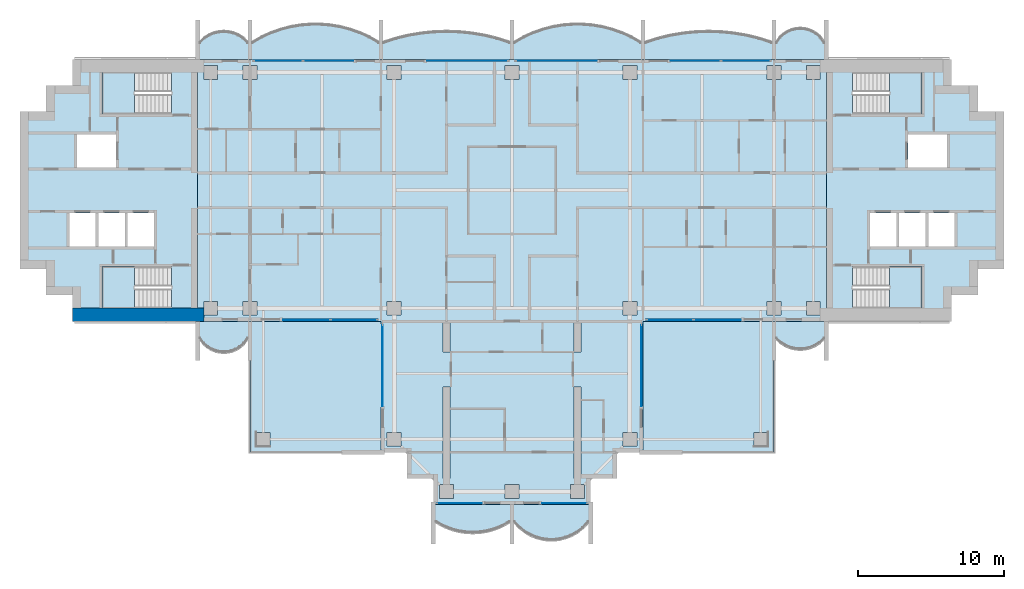
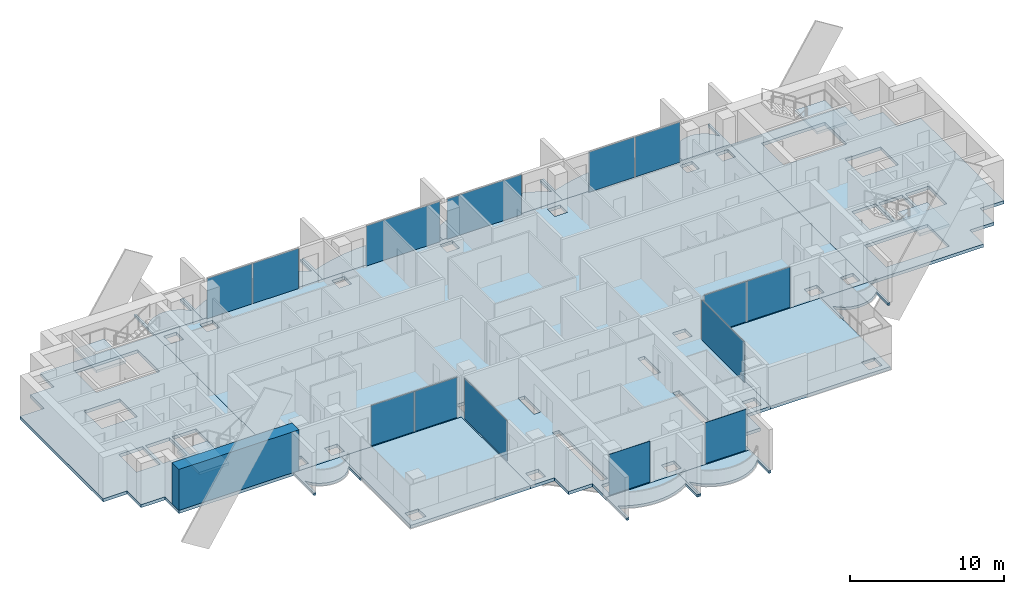
# One storey, part 7 of 17: 19 slabs, 14 plates, 1 wall, 14 elements without a shape of their own.
"""IFC4 building model written with IfcOpenShell, lengths in metres."""

from ifc_helpers import new_model, si_unit, direction, frame, frame_2d, origin, origin_2d, place, context, subcontext, project, spatial, polyline, rectangle, outline, extrude, material, layer, layer_set, type_object, element, aggregate, save


model = new_model("IFC4")

# Units and contexts
model_context = context("Model", 3, precision=1e-05, world=origin(), true_north=direction((0.0, 1.0)))
body_context = subcontext(model_context, "Body", "Model", "MODEL_VIEW")
ifc_project = project(units=[si_unit("LENGTHUNIT", "METRE"), si_unit("AREAUNIT", "SQUARE_METRE"), si_unit("VOLUMEUNIT", "CUBIC_METRE"), si_unit("PLANEANGLEUNIT", "RADIAN"), si_unit("MASSUNIT", "GRAM", prefix="KILO")], contexts=[model_context])

# Site, building, storey
site_placement = place(None, origin())
site = spatial("IfcSite", under=ifc_project, at=site_placement, CompositionType="ELEMENT")
building_placement = place(site_placement, origin())
building = spatial("IfcBuilding", under=site, at=building_placement, Name="Perihelion Cross Residences", CompositionType="ELEMENT")
storey_placement = place(building_placement, frame((0.0, 0.0, 198.10009765625)))
storey = spatial("IfcBuildingStorey", under=building, at=storey_placement, Name="L49", CompositionType="ELEMENT", Elevation=198.10009765625)

# Slabs
ifc_material_1 = material(Name="Concrete C40/50", Category="concrete")
ifc_layer_1 = layer(ifc_material_1, 0.199951171875)
ifc_layer_set_1 = layer_set([ifc_layer_1], Name="Balcony slab 200")
slab_type_1 = type_object("IfcSlabType", Name="Balcony slab 200", PredefinedType="FLOOR", material=ifc_layer_set_1)
slab_1_placement = place(storey_placement, frame((0.0, 0.0, -0.2001953125)))
element("IfcSlab", 1, at=slab_1_placement, inside=storey, type_object=slab_type_1, Name="Slab BK1 L49 east side north bay 1 balcony", PredefinedType="FLOOR", context=body_context, shape_type="SweptSolid", body=[
    extrude(outline(polyline([(21.60009765625, 9.0), (18.0, 9.0), (18.0, 11.699951171875), (18.14990234375, 11.699951171875), (18.14990234375, 10.199951171875), (18.425048828125, 10.568603515625), (18.699951171875, 10.806396484375), (18.97509765625, 10.96875), (19.25, 11.07568359375), (19.52490234375, 11.136962890625), (19.800048828125, 11.156982421875), (20.074951171875, 11.136962890625), (20.35009765625, 11.07568359375), (20.625, 10.96875), (20.89990234375, 10.806396484375), (21.175048828125, 10.568603515625), (21.449951171875, 10.199951171875), (21.449951171875, 11.699951171875), (21.60009765625, 11.699951171875), (21.60009765625, 9.0)])), origin(), (0.0, 0.0, 1.0), 0.2001953125),
])
slab_2_placement = place(storey_placement, frame((0.0, 0.0, -0.2001953125)))
element("IfcSlab", 2, at=slab_2_placement, inside=storey, type_object=slab_type_1, Name="Slab BK1 L49 east side north bay 2 balcony", PredefinedType="FLOOR", context=body_context, shape_type="SweptSolid", body=[
    extrude(outline(polyline([(18.0, 9.0), (9.0, 9.0), (9.0, 11.699951171875), (9.14990234375, 11.699951171875), (9.14990234375, 10.199951171875), (10.02001953125, 10.47509765625), (10.889892578125, 10.68505859375), (11.760009765625, 10.8330078125), (12.6298828125, 10.9208984375), (13.5, 10.949951171875), (14.3701171875, 10.9208984375), (15.239990234375, 10.8330078125), (16.110107421875, 10.68505859375), (16.97998046875, 10.47509765625), (17.85009765625, 10.199951171875), (17.85009765625, 11.699951171875), (18.0, 11.699951171875), (18.0, 9.0)])), origin(), (0.0, 0.0, 1.0), 0.2001953125),
])
slab_3_placement = place(storey_placement, frame((0.0, 0.0, -0.2001953125)))
element("IfcSlab", 3, at=slab_3_placement, inside=storey, type_object=slab_type_1, Name="Slab BK1 L49 north side east bay 1 balcony", PredefinedType="FLOOR", context=body_context, shape_type="SweptSolid", body=[
    extrude(outline(polyline([(9.0, 9.0), (0.0, 9.0), (0.0, 11.699951171875), (0.14990234375, 11.699951171875), (0.14990234375, 10.199951171875), (0.8193359375, 10.57666015625), (1.488525390625, 10.87646484375), (2.15771484375, 11.108154296875), (2.826904296875, 11.27734375), (3.49609375, 11.38818359375), (4.165283203125, 11.443115234375), (4.834716796875, 11.443115234375), (5.50390625, 11.38818359375), (6.173095703125, 11.27734375), (6.84228515625, 11.108154296875), (7.511474609375, 10.87646484375), (8.1806640625, 10.57666015625), (8.85009765625, 10.199951171875), (8.85009765625, 11.699951171875), (9.0, 11.699951171875), (9.0, 9.0)])), origin(), (0.0, 0.0, 1.0), 0.2001953125),
])
slab_4_placement = place(storey_placement, frame((0.0, 0.0, -0.2001953125)))
element("IfcSlab", 4, at=slab_4_placement, inside=storey, type_object=slab_type_1, Name="Slab BK1 L49 north side east bay 2 balcony", PredefinedType="FLOOR", context=body_context, shape_type="SweptSolid", body=[
    extrude(outline(polyline([(0.0, 9.0), (-9.0, 9.0), (-9.0, 11.699951171875), (-8.85009765625, 11.699951171875), (-8.85009765625, 10.199951171875), (-7.97998046875, 10.47509765625), (-7.110107421875, 10.68505859375), (-6.239990234375, 10.8330078125), (-5.3701171875, 10.9208984375), (-4.5, 10.949951171875), (-3.6298828125, 10.9208984375), (-2.760009765625, 10.8330078125), (-1.889892578125, 10.68505859375), (-1.02001953125, 10.47509765625), (-0.14990234375, 10.199951171875), (-0.14990234375, 11.699951171875), (0.0, 11.699951171875), (0.0, 9.0)])), origin(), (0.0, 0.0, 1.0), 0.2001953125),
])
slab_5_placement = place(storey_placement, frame((0.0, 0.0, -0.2001953125)))
element("IfcSlab", 5, at=slab_5_placement, inside=storey, type_object=slab_type_1, Name="Slab BK1 L49 west side north bay 1 balcony", PredefinedType="FLOOR", context=body_context, shape_type="SweptSolid", body=[
    extrude(outline(polyline([(-9.0, 9.0), (-18.0, 9.0), (-18.0, 11.699951171875), (-17.85009765625, 11.699951171875), (-17.85009765625, 10.199951171875), (-17.1806640625, 10.57666015625), (-16.511474609375, 10.87646484375), (-15.84228515625, 11.108154296875), (-15.173095703125, 11.27734375), (-14.50390625, 11.38818359375), (-13.834716796875, 11.443115234375), (-13.165283203125, 11.443115234375), (-12.49609375, 11.38818359375), (-11.826904296875, 11.27734375), (-11.15771484375, 11.108154296875), (-10.488525390625, 10.87646484375), (-9.8193359375, 10.57666015625), (-9.14990234375, 10.199951171875), (-9.14990234375, 11.699951171875), (-9.0, 11.699951171875), (-9.0, 9.0)])), origin(), (0.0, 0.0, 1.0), 0.2001953125),
])
slab_6_placement = place(storey_placement, frame((0.0, 0.0, -0.2001953125)))
element("IfcSlab", 6, at=slab_6_placement, inside=storey, type_object=slab_type_1, Name="Slab BK1 L49 west side north bay 2 balcony", PredefinedType="FLOOR", context=body_context, shape_type="SweptSolid", body=[
    extrude(outline(polyline([(-18.0, 9.0), (-21.60009765625, 9.0), (-21.60009765625, 11.699951171875), (-21.449951171875, 11.699951171875), (-21.449951171875, 10.199951171875), (-21.1201171875, 10.507568359375), (-20.7900390625, 10.71337890625), (-20.4599609375, 10.84814453125), (-20.1298828125, 10.925048828125), (-19.800048828125, 10.949951171875), (-19.469970703125, 10.925048828125), (-19.139892578125, 10.84814453125), (-18.81005859375, 10.71337890625), (-18.47998046875, 10.507568359375), (-18.14990234375, 10.199951171875), (-18.14990234375, 11.699951171875), (-18.0, 11.699951171875), (-18.0, 9.0)])), origin(), (0.0, 0.0, 1.0), 0.2001953125),
])
slab_7_placement = place(storey_placement, frame((0.0, 0.0, -0.2001953125)))
element("IfcSlab", 7, at=slab_7_placement, inside=storey, type_object=slab_type_1, Name="Slab BK1 L49 west side south bay 1 balcony", PredefinedType="FLOOR", context=body_context, shape_type="SweptSolid", body=[
    extrude(outline(polyline([(-21.60009765625, -9.0), (-18.0, -9.0), (-18.0, -11.699951171875), (-18.14990234375, -11.699951171875), (-18.14990234375, -10.199951171875), (-18.425048828125, -10.568603515625), (-18.699951171875, -10.806396484375), (-18.97509765625, -10.96875), (-19.25, -11.07568359375), (-19.52490234375, -11.136962890625), (-19.800048828125, -11.156982421875), (-20.074951171875, -11.136962890625), (-20.35009765625, -11.07568359375), (-20.625, -10.96875), (-20.89990234375, -10.806396484375), (-21.175048828125, -10.568603515625), (-21.449951171875, -10.199951171875), (-21.449951171875, -11.699951171875), (-21.60009765625, -11.699951171875), (-21.60009765625, -9.0)])), origin(), (0.0, 0.0, 1.0), 0.2001953125),
])
slab_8_placement = place(storey_placement, frame((0.0, 0.0, -0.2001953125)))
element("IfcSlab", 8, at=slab_8_placement, inside=storey, type_object=slab_type_1, Name="Slab BK1 L49 south tip south bay 1 balcony", PredefinedType="FLOOR", context=body_context, shape_type="SweptSolid", body=[
    extrude(outline(polyline([(-5.39990234375, -21.60009765625), (0.0, -21.60009765625), (0.0, -24.300048828125), (-0.14990234375, -24.300048828125), (-0.14990234375, -22.800048828125), (-0.659912109375, -23.085205078125), (-1.169921875, -23.294677734375), (-1.679931640625, -23.438232421875), (-2.18994140625, -23.522216796875), (-2.699951171875, -23.550048828125), (-3.2099609375, -23.522216796875), (-3.719970703125, -23.438232421875), (-4.22998046875, -23.294677734375), (-4.739990234375, -23.085205078125), (-5.25, -22.800048828125), (-5.25, -24.300048828125), (-5.39990234375, -24.300048828125), (-5.39990234375, -21.60009765625)])), origin(), (0.0, 0.0, 1.0), 0.2001953125),
])
slab_9_placement = place(storey_placement, frame((0.0, 0.0, -0.2001953125)))
element("IfcSlab", 9, at=slab_9_placement, inside=storey, type_object=slab_type_1, Name="Slab BK1 L49 south tip south bay 2 balcony", PredefinedType="FLOOR", context=body_context, shape_type="SweptSolid", body=[
    extrude(outline(polyline([(0.0, -21.60009765625), (5.39990234375, -21.60009765625), (5.39990234375, -24.300048828125), (5.25, -24.300048828125), (5.25, -22.800048828125), (4.857666015625, -23.22216796875), (4.46533203125, -23.524169921875), (4.072998046875, -23.7431640625), (3.6806640625, -23.897216796875), (3.28857421875, -23.995849609375), (2.896240234375, -24.0439453125), (2.50390625, -24.0439453125), (2.111572265625, -23.995849609375), (1.71923828125, -23.897216796875), (1.326904296875, -23.7431640625), (0.9345703125, -23.524169921875), (0.542236328125, -23.22216796875), (0.14990234375, -22.800048828125), (0.14990234375, -24.300048828125), (0.0, -24.300048828125), (0.0, -21.60009765625)])), origin(), (0.0, 0.0, 1.0), 0.2001953125),
])
slab_10_placement = place(storey_placement, frame((0.0, 0.0, -0.2001953125)))
element("IfcSlab", 10, at=slab_10_placement, inside=storey, type_object=slab_type_1, Name="Slab BK1 L49 east side south bay 2 balcony", PredefinedType="FLOOR", context=body_context, shape_type="SweptSolid", body=[
    extrude(outline(polyline([(18.0, -9.0), (21.60009765625, -9.0), (21.60009765625, -11.699951171875), (21.449951171875, -11.699951171875), (21.449951171875, -10.199951171875), (21.1201171875, -10.507568359375), (20.7900390625, -10.71337890625), (20.4599609375, -10.84814453125), (20.1298828125, -10.925048828125), (19.800048828125, -10.949951171875), (19.469970703125, -10.925048828125), (19.139892578125, -10.84814453125), (18.81005859375, -10.71337890625), (18.47998046875, -10.507568359375), (18.14990234375, -10.199951171875), (18.14990234375, -11.699951171875), (18.0, -11.699951171875), (18.0, -9.0)])), origin(), (0.0, 0.0, 1.0), 0.2001953125),
])

# Curtain wall, plates
ifc_material_2 = material(Name="Bronze anodised aluminium, tinted glazing", Category="aluminium")
curtain_wall_type = type_object("IfcCurtainWallType", Name="CW1", PredefinedType="NOTDEFINED", material=ifc_material_2)
curtain_wall_1_placement = place(storey_placement, origin())
curtain_wall_1 = element("IfcCurtainWall", 11, at=curtain_wall_1_placement, inside=storey, type_object=curtain_wall_type, Name="Curtain wall CW1 L49 east side north bay 2", PredefinedType="NOTDEFINED")
ifc_material_3 = material(Name="Tinted laminated glass", Category="glass")
ifc_layer_2 = layer(ifc_material_3, 0.028076171875)
ifc_layer_set_2 = layer_set([ifc_layer_2], Name="CW1 panel")
plate_type = type_object("IfcPlateType", Name="CW1 panel", PredefinedType="CURTAIN_PANEL", material=ifc_layer_set_2)
plate_1_placement = place(storey_placement, frame((16.06005859375, 8.89990234375, 0.0), z_axis=(0.0, 0.0, 1.0), x_axis=(-1.0, 0.0, 0.0)))
plate_1 = element("IfcPlate", 12, at=plate_1_placement, type_object=plate_type, Name="CW1 panel 1", PredefinedType="CURTAIN_PANEL", context=body_context, shape_type="SweptSolid", body=[
    extrude(rectangle(XDim=3.360107421875, YDim=0.028076171875, at=origin_2d()), origin(), (0.0, 0.0, 1.0), 3.18994140625),
])
plate_2_placement = place(storey_placement, frame((12.610107421875, 8.89990234375, 0.0), z_axis=(0.0, 0.0, 1.0), x_axis=(-1.0, 0.0, 0.0)))
plate_2 = element("IfcPlate", 13, at=plate_2_placement, type_object=plate_type, Name="CW1 panel 2", PredefinedType="CURTAIN_PANEL", context=body_context, shape_type="SweptSolid", body=[
    extrude(rectangle(XDim=3.419921875, YDim=0.028076171875, at=origin_2d()), origin(), (0.0, 0.0, 1.0), 3.18994140625),
])
aggregate(curtain_wall_1, [plate_1, plate_2])

# Curtain wall, plate
curtain_wall_2_placement = place(storey_placement, origin())
curtain_wall_2 = element("IfcCurtainWall", 14, at=curtain_wall_2_placement, inside=storey, type_object=curtain_wall_type, Name="Curtain wall CW1 L49 north side east bay 1", PredefinedType="NOTDEFINED")
plate_3_placement = place(storey_placement, frame((3.04248046875, 8.89990234375, 0.0), z_axis=(0.0, 0.0, 1.0), x_axis=(-1.0, 0.0, 0.0)))
plate_3 = element("IfcPlate", 15, at=plate_3_placement, type_object=plate_type, Name="CW1 panel 1", PredefinedType="CURTAIN_PANEL", context=body_context, shape_type="SweptSolid", body=[
    extrude(rectangle(XDim=5.56494140625, YDim=0.028076171875, at=origin_2d()), origin(), (0.0, 0.0, 1.0), 3.18994140625),
])
aggregate(curtain_wall_2, [plate_3])

curtain_wall_3_placement = place(storey_placement, origin())
curtain_wall_3 = element("IfcCurtainWall", 16, at=curtain_wall_3_placement, inside=storey, type_object=curtain_wall_type, Name="Curtain wall CW1 L49 north side east bay 2", PredefinedType="NOTDEFINED")
plate_4_placement = place(storey_placement, frame((-3.04248046875, 8.89990234375, 0.0), z_axis=(0.0, 0.0, 1.0), x_axis=(-1.0, 0.0, 0.0)))
plate_4 = element("IfcPlate", 17, at=plate_4_placement, type_object=plate_type, Name="CW1 panel 1", PredefinedType="CURTAIN_PANEL", context=body_context, shape_type="SweptSolid", body=[
    extrude(rectangle(XDim=5.56494140625, YDim=0.028076171875, at=origin_2d()), origin(), (0.0, 0.0, 1.0), 3.18994140625),
])
aggregate(curtain_wall_3, [plate_4])

# Curtain wall, plates
curtain_wall_4_placement = place(storey_placement, origin())
curtain_wall_4 = element("IfcCurtainWall", 18, at=curtain_wall_4_placement, inside=storey, type_object=curtain_wall_type, Name="Curtain wall CW1 L49 west side north bay 1", PredefinedType="NOTDEFINED")
plate_5_placement = place(storey_placement, frame((-12.610107421875, 8.89990234375, 0.0), z_axis=(0.0, 0.0, 1.0), x_axis=(-1.0, 0.0, 0.0)))
plate_5 = element("IfcPlate", 19, at=plate_5_placement, type_object=plate_type, Name="CW1 panel 1", PredefinedType="CURTAIN_PANEL", context=body_context, shape_type="SweptSolid", body=[
    extrude(rectangle(XDim=3.419921875, YDim=0.028076171875, at=origin_2d()), origin(), (0.0, 0.0, 1.0), 3.18994140625),
])
plate_6_placement = place(storey_placement, frame((-16.06005859375, 8.89990234375, 0.0), z_axis=(0.0, 0.0, 1.0), x_axis=(-1.0, 0.0, 0.0)))
plate_6 = element("IfcPlate", 20, at=plate_6_placement, type_object=plate_type, Name="CW1 panel 2", PredefinedType="CURTAIN_PANEL", context=body_context, shape_type="SweptSolid", body=[
    extrude(rectangle(XDim=3.360107421875, YDim=0.028076171875, at=origin_2d()), origin(), (0.0, 0.0, 1.0), 3.18994140625),
])
aggregate(curtain_wall_4, [plate_5, plate_6])

curtain_wall_5_placement = place(storey_placement, origin())
curtain_wall_5 = element("IfcCurtainWall", 21, at=curtain_wall_5_placement, inside=storey, type_object=curtain_wall_type, Name="Curtain wall CW1 L49 west side south bay 2", PredefinedType="NOTDEFINED")
plate_7_placement = place(storey_placement, frame((-14.108642578125, -8.89990234375, 0.0), z_axis=(0.0, 0.0, 1.0), x_axis=(1.0, 0.0, 0.0)))
plate_7 = element("IfcPlate", 22, at=plate_7_placement, type_object=plate_type, Name="CW1 panel 1", PredefinedType="CURTAIN_PANEL", context=body_context, shape_type="SweptSolid", body=[
    extrude(rectangle(XDim=3.232421875, YDim=0.028076171875, at=origin_2d()), origin(), (0.0, 0.0, 1.0), 3.18994140625),
])
plate_8_placement = place(storey_placement, frame((-10.84619140625, -8.89990234375, 0.0), z_axis=(0.0, 0.0, 1.0), x_axis=(1.0, 0.0, 0.0)))
plate_8 = element("IfcPlate", 23, at=plate_8_placement, type_object=plate_type, Name="CW1 panel 2", PredefinedType="CURTAIN_PANEL", context=body_context, shape_type="SweptSolid", body=[
    extrude(rectangle(XDim=3.172607421875, YDim=0.028076171875, at=origin_2d()), origin(), (0.0, 0.0, 1.0), 3.18994140625),
])
aggregate(curtain_wall_5, [plate_7, plate_8])

# Curtain wall, plate
curtain_wall_6_placement = place(storey_placement, origin())
curtain_wall_6 = element("IfcCurtainWall", 24, at=curtain_wall_6_placement, inside=storey, type_object=curtain_wall_type, Name="Curtain wall CW1 L49 south side west bay 1", PredefinedType="NOTDEFINED")
plate_9_placement = place(storey_placement, frame((-8.89990234375, -12.04248046875, 0.0), z_axis=(0.0, 0.0, 1.0), x_axis=(0.0, -1.0, 0.0)))
plate_9 = element("IfcPlate", 25, at=plate_9_placement, type_object=plate_type, Name="CW1 panel 1", PredefinedType="CURTAIN_PANEL", context=body_context, shape_type="SweptSolid", body=[
    extrude(rectangle(XDim=5.56494140625, YDim=0.028076171875, at=origin_2d()), origin(), (0.0, 0.0, 1.0), 3.18994140625),
])
aggregate(curtain_wall_6, [plate_9])

curtain_wall_7_placement = place(storey_placement, origin())
curtain_wall_7 = element("IfcCurtainWall", 26, at=curtain_wall_7_placement, inside=storey, type_object=curtain_wall_type, Name="Curtain wall CW1 L49 south tip south bay 1", PredefinedType="NOTDEFINED")
plate_10_placement = place(storey_placement, frame((-3.607421875, -21.5, 0.0), z_axis=(0.0, 0.0, 1.0), x_axis=(1.0, 0.0, 0.0)))
plate_10 = element("IfcPlate", 27, at=plate_10_placement, type_object=plate_type, Name="CW1 panel 1", PredefinedType="CURTAIN_PANEL", context=body_context, shape_type="SweptSolid", body=[
    extrude(rectangle(XDim=3.06494140625, YDim=0.028076171875, at=origin_2d()), origin(), (0.0, 0.0, 1.0), 3.25),
])
aggregate(curtain_wall_7, [plate_10])

curtain_wall_8_placement = place(storey_placement, origin())
curtain_wall_8 = element("IfcCurtainWall", 28, at=curtain_wall_8_placement, inside=storey, type_object=curtain_wall_type, Name="Curtain wall CW1 L49 south tip south bay 2", PredefinedType="NOTDEFINED")
plate_11_placement = place(storey_placement, frame((3.607421875, -21.5, 0.0), z_axis=(0.0, 0.0, 1.0), x_axis=(1.0, 0.0, 0.0)))
plate_11 = element("IfcPlate", 29, at=plate_11_placement, type_object=plate_type, Name="CW1 panel 1", PredefinedType="CURTAIN_PANEL", context=body_context, shape_type="SweptSolid", body=[
    extrude(rectangle(XDim=3.06494140625, YDim=0.028076171875, at=origin_2d()), origin(), (0.0, 0.0, 1.0), 3.25),
])
aggregate(curtain_wall_8, [plate_11])

curtain_wall_9_placement = place(storey_placement, origin())
curtain_wall_9 = element("IfcCurtainWall", 30, at=curtain_wall_9_placement, inside=storey, type_object=curtain_wall_type, Name="Curtain wall CW1 L49 south side east bay 1", PredefinedType="NOTDEFINED")
plate_12_placement = place(storey_placement, frame((8.89990234375, -12.04248046875, 0.0), z_axis=(0.0, 0.0, 1.0), x_axis=(0.0, 1.0, 0.0)))
plate_12 = element("IfcPlate", 31, at=plate_12_placement, type_object=plate_type, Name="CW1 panel 1", PredefinedType="CURTAIN_PANEL", context=body_context, shape_type="SweptSolid", body=[
    extrude(rectangle(XDim=5.56494140625, YDim=0.028076171875, at=origin_2d()), origin(), (0.0, 0.0, 1.0), 3.18994140625),
])
aggregate(curtain_wall_9, [plate_12])

# Curtain wall, plates
curtain_wall_10_placement = place(storey_placement, origin())
curtain_wall_10 = element("IfcCurtainWall", 32, at=curtain_wall_10_placement, inside=storey, type_object=curtain_wall_type, Name="Curtain wall CW1 L49 east side south bay 1", PredefinedType="NOTDEFINED")
plate_13_placement = place(storey_placement, frame((10.84619140625, -8.89990234375, 0.0), z_axis=(0.0, 0.0, 1.0), x_axis=(1.0, 0.0, 0.0)))
plate_13 = element("IfcPlate", 33, at=plate_13_placement, type_object=plate_type, Name="CW1 panel 1", PredefinedType="CURTAIN_PANEL", context=body_context, shape_type="SweptSolid", body=[
    extrude(rectangle(XDim=3.172607421875, YDim=0.028076171875, at=origin_2d()), origin(), (0.0, 0.0, 1.0), 3.18994140625),
])
plate_14_placement = place(storey_placement, frame((14.108642578125, -8.89990234375, 0.0), z_axis=(0.0, 0.0, 1.0), x_axis=(1.0, 0.0, 0.0)))
plate_14 = element("IfcPlate", 34, at=plate_14_placement, type_object=plate_type, Name="CW1 panel 2", PredefinedType="CURTAIN_PANEL", context=body_context, shape_type="SweptSolid", body=[
    extrude(rectangle(XDim=3.232421875, YDim=0.028076171875, at=origin_2d()), origin(), (0.0, 0.0, 1.0), 3.18994140625),
])
aggregate(curtain_wall_10, [plate_13, plate_14])

# Slabs
ifc_material_4 = material(Name="Concrete C40/50", Category="concrete")
ifc_layer_3 = layer(ifc_material_4, 0.25)
ifc_layer_set_3 = layer_set([ifc_layer_3], Name="Core floor slab 250")
slab_type_2 = type_object("IfcSlabType", Name="Core floor slab 250", PredefinedType="FLOOR", material=ifc_layer_set_3)
slab_11_placement = place(storey_placement, frame((0.0, 0.0, -0.25)))
element("IfcSlab", 35, at=slab_11_placement, inside=storey, type_object=slab_type_2, Name="East core floor slab", PredefinedType="FLOOR", context=body_context, shape_type="SweptSolid", body=[
    extrude(outline(polyline([(30.199951171875, 7.199951171875), (32.0, 7.199951171875), (32.0, 5.39990234375), (33.800048828125, 5.39990234375), (33.800048828125, -5.39990234375), (32.0, -5.39990234375), (32.0, -7.199951171875), (30.199951171875, -7.199951171875), (30.199951171875, -9.0), (21.60009765625, -9.0), (21.60009765625, 9.0), (30.199951171875, 9.0), (30.199951171875, 7.199951171875)]), holes=[polyline([(28.14990234375, -8.10009765625), (28.14990234375, -5.25), (23.405029296875, -5.25), (23.405029296875, -8.10009765625), (28.14990234375, -8.10009765625)]), polyline([(24.60009765625, -1.550048828125), (24.60009765625, -3.85009765625), (26.39990234375, -3.85009765625), (26.39990234375, -1.550048828125), (24.60009765625, -1.550048828125)]), polyline([(26.60009765625, -1.550048828125), (26.60009765625, -3.85009765625), (28.39990234375, -3.85009765625), (28.39990234375, -1.550048828125), (26.60009765625, -1.550048828125)]), polyline([(28.60009765625, -3.85009765625), (30.39990234375, -3.85009765625), (30.39990234375, -1.550048828125), (28.60009765625, -1.550048828125), (28.60009765625, -3.85009765625)]), polyline([(27.199951171875, 3.85009765625), (27.199951171875, 1.550048828125), (29.89990234375, 1.550048828125), (29.89990234375, 3.85009765625), (27.199951171875, 3.85009765625)]), polyline([(23.405029296875, 5.25), (28.14990234375, 5.25), (28.14990234375, 8.10009765625), (23.405029296875, 8.10009765625), (23.405029296875, 5.25)])]), origin(), (0.0, 0.0, 1.0), 0.25),
])
slab_12_placement = place(storey_placement, frame((0.0, 0.0, -0.25)))
element("IfcSlab", 36, at=slab_12_placement, inside=storey, type_object=slab_type_2, Name="West core floor slab", PredefinedType="FLOOR", context=body_context, shape_type="SweptSolid", body=[
    extrude(outline(polyline([(-30.199951171875, 7.199951171875), (-32.0, 7.199951171875), (-32.0, 5.39990234375), (-33.800048828125, 5.39990234375), (-33.800048828125, -5.39990234375), (-32.0, -5.39990234375), (-32.0, -7.199951171875), (-30.199951171875, -7.199951171875), (-30.199951171875, -9.0), (-21.60009765625, -9.0), (-21.60009765625, 9.0), (-30.199951171875, 9.0), (-30.199951171875, 7.199951171875)]), holes=[polyline([(-28.14990234375, -8.10009765625), (-28.14990234375, -5.25), (-23.405029296875, -5.25), (-23.405029296875, -8.10009765625), (-28.14990234375, -8.10009765625)]), polyline([(-24.60009765625, -1.550048828125), (-24.60009765625, -3.85009765625), (-26.39990234375, -3.85009765625), (-26.39990234375, -1.550048828125), (-24.60009765625, -1.550048828125)]), polyline([(-26.60009765625, -1.550048828125), (-26.60009765625, -3.85009765625), (-28.39990234375, -3.85009765625), (-28.39990234375, -1.550048828125), (-26.60009765625, -1.550048828125)]), polyline([(-28.60009765625, -3.85009765625), (-30.39990234375, -3.85009765625), (-30.39990234375, -1.550048828125), (-28.60009765625, -1.550048828125), (-28.60009765625, -3.85009765625)]), polyline([(-27.199951171875, 3.85009765625), (-27.199951171875, 1.550048828125), (-29.89990234375, 1.550048828125), (-29.89990234375, 3.85009765625), (-27.199951171875, 3.85009765625)]), polyline([(-23.405029296875, 5.25), (-28.14990234375, 5.25), (-28.14990234375, 8.10009765625), (-23.405029296875, 8.10009765625), (-23.405029296875, 5.25)])]), origin(), (0.0, 0.0, 1.0), 0.25),
])
ifc_material_5 = material(Name="Concrete C40/50", Category="concrete")
ifc_layer_4 = layer(ifc_material_5, 0.25)
ifc_layer_set_4 = layer_set([ifc_layer_4], Name="Corner terrace slab")
slab_type_3 = type_object("IfcSlabType", Name="Corner terrace slab", PredefinedType="FLOOR", material=ifc_layer_set_4)
slab_13_placement = place(storey_placement, frame((0.0, 0.0, -0.25)))
element("IfcSlab", 37, at=slab_13_placement, inside=storey, type_object=slab_type_3, Name="Slab BK2 L49 pocket south-west", PredefinedType="FLOOR", context=body_context, shape_type="SweptSolid", body=[
    extrude(outline(polyline([(-9.0, -18.0), (-9.0, -9.0), (-18.0, -9.0), (-18.0, -18.0), (-9.0, -18.0)]), holes=[polyline([(-16.625, -17.614990234375), (-17.614990234375, -17.614990234375), (-17.614990234375, -16.5849609375), (-17.574951171875, -16.5849609375), (-17.574951171875, -16.625), (-16.625, -16.625), (-16.625, -17.614990234375)])]), origin(), (0.0, 0.0, 1.0), 0.25),
])
slab_14_placement = place(storey_placement, frame((0.0, 0.0, -0.25)))
element("IfcSlab", 38, at=slab_14_placement, inside=storey, type_object=slab_type_3, Name="Slab BK2 L49 pocket south-east", PredefinedType="FLOOR", context=body_context, shape_type="SweptSolid", body=[
    extrude(outline(polyline([(18.0, -18.0), (18.0, -9.0), (9.0, -9.0), (9.0, -18.0), (18.0, -18.0)]), holes=[polyline([(16.625, -17.614990234375), (16.625, -16.625), (17.574951171875, -16.625), (17.574951171875, -16.5849609375), (17.614990234375, -16.5849609375), (17.614990234375, -17.614990234375), (16.625, -17.614990234375)])]), origin(), (0.0, 0.0, 1.0), 0.25),
])

# Stair, slab
ifc_material_6 = material(Name="Concrete C40/50", Category="concrete")
stair_type = type_object("IfcStairType", Name="Exit stair, half-turn", PredefinedType="HALF_TURN_STAIR", material=ifc_material_6)
stair_1_placement = place(storey_placement, origin())
stair_1 = element("IfcStair", 39, at=stair_1_placement, inside=storey, type_object=stair_type, Name="L49 East core exit stair 1", PredefinedType="HALF_TURN_STAIR")
ifc_material_7 = material(Name="Concrete C40/50", Category="concrete")
ifc_layer_5 = layer(ifc_material_7, 0.199951171875)
ifc_layer_set_5 = layer_set([ifc_layer_5], Name="Exit stair landing 200")
slab_type_4 = type_object("IfcSlabType", Name="Exit stair landing 200", PredefinedType="LANDING", material=ifc_layer_set_5)
slab_15_placement = place(storey_placement, frame((0.0, 0.0, 1.5498046875)))
slab_15 = element("IfcSlab", 40, at=slab_15_placement, type_object=slab_type_4, Name="ST-E1 landing 1", PredefinedType="LANDING", context=body_context, shape_type="SweptSolid", body=[
    extrude(outline(polyline([(25.919921875, 5.25), (28.14990234375, 5.25), (28.14990234375, 8.10009765625), (25.919921875, 8.10009765625), (25.919921875, 5.25)])), origin(), (0.0, 0.0, 1.0), 0.2001953125),
])
aggregate(stair_1, [slab_15])

stair_2_placement = place(storey_placement, origin())
stair_2 = element("IfcStair", 41, at=stair_2_placement, inside=storey, type_object=stair_type, Name="L49 East core exit stair 2", PredefinedType="HALF_TURN_STAIR")
slab_16_placement = place(storey_placement, frame((0.0, 0.0, 1.5498046875)))
slab_16 = element("IfcSlab", 42, at=slab_16_placement, type_object=slab_type_4, Name="ST-E2 landing 1", PredefinedType="LANDING", context=body_context, shape_type="SweptSolid", body=[
    extrude(outline(polyline([(25.919921875, -8.10009765625), (28.14990234375, -8.10009765625), (28.14990234375, -5.25), (25.919921875, -5.25), (25.919921875, -8.10009765625)])), origin(), (0.0, 0.0, 1.0), 0.2001953125),
])
aggregate(stair_2, [slab_16])

stair_3_placement = place(storey_placement, origin())
stair_3 = element("IfcStair", 43, at=stair_3_placement, inside=storey, type_object=stair_type, Name="L49 West core exit stair 1", PredefinedType="HALF_TURN_STAIR")
slab_17_placement = place(storey_placement, frame((0.0, 0.0, 1.5498046875)))
slab_17 = element("IfcSlab", 44, at=slab_17_placement, type_object=slab_type_4, Name="ST-W1 landing 1", PredefinedType="LANDING", context=body_context, shape_type="SweptSolid", body=[
    extrude(outline(polyline([(-25.919921875, 8.10009765625), (-28.14990234375, 8.10009765625), (-28.14990234375, 5.25), (-25.919921875, 5.25), (-25.919921875, 8.10009765625)])), origin(), (0.0, 0.0, 1.0), 0.2001953125),
])
aggregate(stair_3, [slab_17])

stair_4_placement = place(storey_placement, origin())
stair_4 = element("IfcStair", 45, at=stair_4_placement, inside=storey, type_object=stair_type, Name="L49 West core exit stair 2", PredefinedType="HALF_TURN_STAIR")
slab_18_placement = place(storey_placement, frame((0.0, 0.0, 1.5498046875)))
slab_18 = element("IfcSlab", 46, at=slab_18_placement, type_object=slab_type_4, Name="ST-W2 landing 1", PredefinedType="LANDING", context=body_context, shape_type="SweptSolid", body=[
    extrude(outline(polyline([(-25.919921875, -5.25), (-28.14990234375, -5.25), (-28.14990234375, -8.10009765625), (-25.919921875, -8.10009765625), (-25.919921875, -5.25)])), origin(), (0.0, 0.0, 1.0), 0.2001953125),
])
aggregate(stair_4, [slab_18])

# Slab
ifc_material_8 = material(Name="Concrete C50/60", Category="concrete")
ifc_layer_6 = layer(ifc_material_8, 0.25)
ifc_layer_set_6 = layer_set([ifc_layer_6], Name="Residential floor post-tensioned slab concrete C50/60")
slab_type_5 = type_object("IfcSlabType", Name="Residential floor post-tensioned slab concrete C50/60", PredefinedType="FLOOR", material=ifc_layer_set_6)
slab_19_placement = place(storey_placement, frame((0.0, 0.0, -0.25)))
element("IfcSlab", 47, at=slab_19_placement, inside=storey, type_object=slab_type_5, Name="Slab SL8 L49 1 no. 1", PredefinedType="FLOOR", context=body_context, shape_type="SweptSolid", body=[
    extrude(outline(polyline([(-9.0, 9.0), (9.0, 9.0), (21.60009765625, 9.0), (21.60009765625, -9.0), (9.0, -9.0), (9.0, -18.0), (7.199951171875, -18.0), (7.199951171875, -19.800048828125), (5.39990234375, -19.800048828125), (5.39990234375, -21.60009765625), (-5.39990234375, -21.60009765625), (-5.39990234375, -19.800048828125), (-7.199951171875, -19.800048828125), (-7.199951171875, -18.0), (-9.0, -18.0), (-9.0, -9.0), (-21.60009765625, -9.0), (-21.60009765625, 9.0), (-9.0, 9.0)]), holes=[polyline([(-4.02490234375, -20.22509765625), (-4.97509765625, -20.22509765625), (-4.97509765625, -21.175048828125), (-4.02490234375, -21.175048828125), (-4.02490234375, -20.22509765625)]), polyline([(0.47509765625, -21.175048828125), (0.47509765625, -20.22509765625), (-0.47509765625, -20.22509765625), (-0.47509765625, -21.175048828125), (0.47509765625, -21.175048828125)]), polyline([(-7.625, -17.574951171875), (-7.625, -16.625), (-8.574951171875, -16.625), (-8.574951171875, -17.574951171875), (-7.625, -17.574951171875)]), polyline([(-4.25, -13.5), (-4.75, -13.5), (-4.75, -19.800048828125), (-4.25, -19.800048828125), (-4.25, -13.5)]), polyline([(-4.25, -11.10009765625), (-4.25, -9.0), (-4.75, -9.0), (-4.75, -11.10009765625), (-4.25, -11.10009765625)]), polyline([(-20.22509765625, -8.574951171875), (-20.22509765625, -7.625), (-21.175048828125, -7.625), (-21.175048828125, -8.574951171875), (-20.22509765625, -8.574951171875)]), polyline([(-17.52490234375, -7.625), (-18.47509765625, -7.625), (-18.47509765625, -8.574951171875), (-17.52490234375, -8.574951171875), (-17.52490234375, -7.625)]), polyline([(-7.625, -8.574951171875), (-7.625, -7.625), (-8.574951171875, -7.625), (-8.574951171875, -8.574951171875), (-7.625, -8.574951171875)]), polyline([(-20.22509765625, 8.574951171875), (-21.175048828125, 8.574951171875), (-21.175048828125, 7.625), (-20.22509765625, 7.625), (-20.22509765625, 8.574951171875)]), polyline([(-17.52490234375, 7.625), (-17.52490234375, 8.574951171875), (-18.47509765625, 8.574951171875), (-18.47509765625, 7.625), (-17.52490234375, 7.625)]), polyline([(-7.625, 7.625), (-7.625, 8.574951171875), (-8.574951171875, 8.574951171875), (-8.574951171875, 7.625), (-7.625, 7.625)]), polyline([(4.97509765625, -20.22509765625), (4.02490234375, -20.22509765625), (4.02490234375, -21.175048828125), (4.97509765625, -21.175048828125), (4.97509765625, -20.22509765625)]), polyline([(8.574951171875, -17.574951171875), (8.574951171875, -16.625), (7.625, -16.625), (7.625, -17.574951171875), (8.574951171875, -17.574951171875)]), polyline([(4.75, -19.800048828125), (4.75, -13.5), (4.25, -13.5), (4.25, -19.800048828125), (4.75, -19.800048828125)]), polyline([(4.75, -9.0), (4.25, -9.0), (4.25, -11.10009765625), (4.75, -11.10009765625), (4.75, -9.0)]), polyline([(8.574951171875, -8.574951171875), (8.574951171875, -7.625), (7.625, -7.625), (7.625, -8.574951171875), (8.574951171875, -8.574951171875)]), polyline([(18.47509765625, -8.574951171875), (18.47509765625, -7.625), (17.52490234375, -7.625), (17.52490234375, -8.574951171875), (18.47509765625, -8.574951171875)]), polyline([(21.175048828125, -7.625), (20.22509765625, -7.625), (20.22509765625, -8.574951171875), (21.175048828125, -8.574951171875), (21.175048828125, -7.625)]), polyline([(0.47509765625, 7.625), (0.47509765625, 8.574951171875), (-0.47509765625, 8.574951171875), (-0.47509765625, 7.625), (0.47509765625, 7.625)]), polyline([(8.574951171875, 8.574951171875), (7.625, 8.574951171875), (7.625, 7.625), (8.574951171875, 7.625), (8.574951171875, 8.574951171875)]), polyline([(18.47509765625, 7.625), (18.47509765625, 8.574951171875), (17.52490234375, 8.574951171875), (17.52490234375, 7.625), (18.47509765625, 7.625)]), polyline([(21.175048828125, 7.625), (21.175048828125, 8.574951171875), (20.22509765625, 8.574951171875), (20.22509765625, 7.625), (21.175048828125, 7.625)])]), origin(), (0.0, 0.0, 1.0), 0.25),
])

# Wall
ifc_material_9 = material(Name="Concrete C60/75", Category="concrete")
ifc_layer_7 = layer(ifc_material_9, 0.89990234375)
ifc_layer_set_7 = layer_set([ifc_layer_7], Name="Core wall, outer 900")
wall_type = type_object("IfcWallType", Name="Core wall, outer 900", PredefinedType="SHEAR", material=ifc_layer_set_7)
wall_placement = place(storey_placement, frame((-30.199951171875, -8.550048828125, 0.0), z_axis=(0.0, 0.0, 1.0), x_axis=(1.0, 0.0, 0.0)))
element("IfcWall", 48, at=wall_placement, inside=storey, type_object=wall_type, Name="West core core wall, outer", PredefinedType="SHEAR", context=body_context, shape_type="SweptSolid", body=[
    extrude(rectangle(XDim=9.02490234375, YDim=0.89990234375, at=frame_2d((4.512451171875, 0.0))), origin(), (0.0, 0.0, 1.0), 3.25),
])

save(model, "model.ifc")
